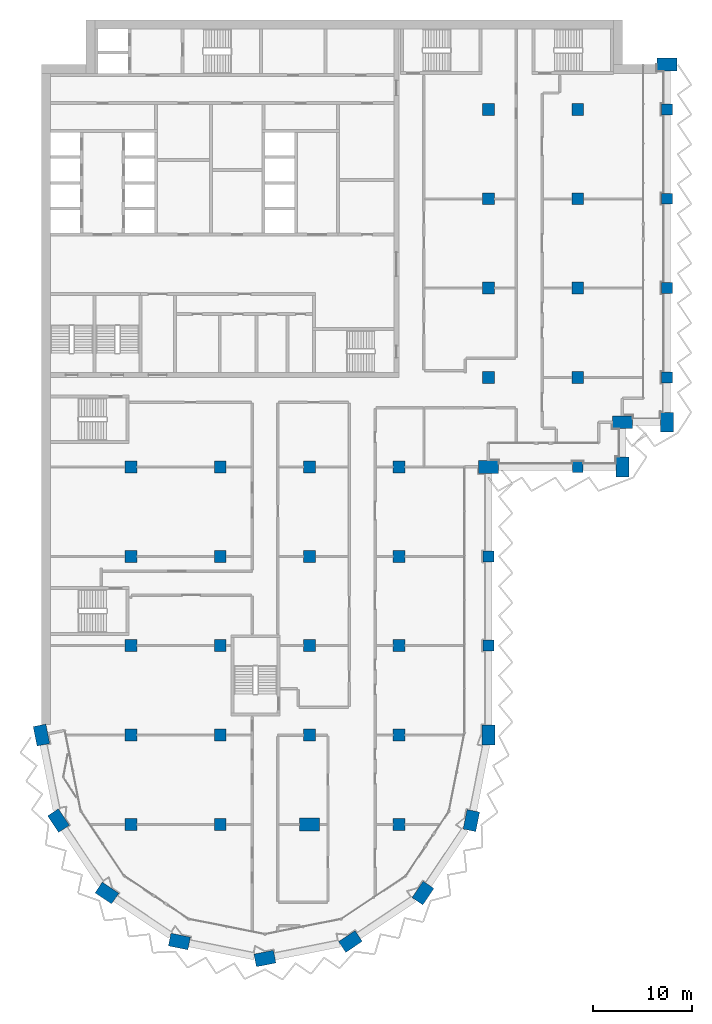
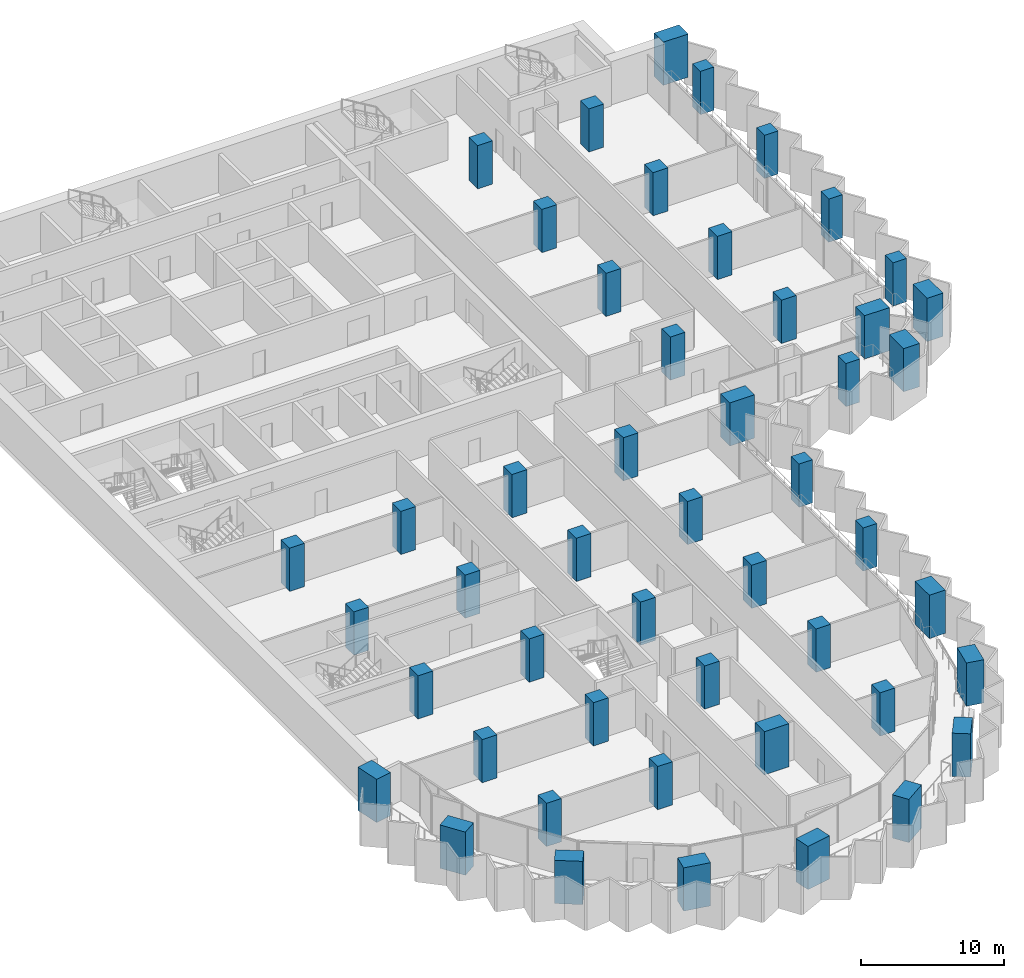
# One storey, part 1 of 23: 49 columns.
"""IFC4 building model written with IfcOpenShell, lengths in metres."""

from ifc_helpers import new_model, si_unit, direction, frame, origin, origin_2d, place, context, subcontext, project, spatial, rectangle, extrude, material, material_profile, profile_set, type_object, element, save


model = new_model("IFC4")

# Units and contexts
model_context = context("Model", 3, precision=1e-05, world=origin(), true_north=direction((0.0, 1.0)))
body_context = subcontext(model_context, "Body", "Model", "MODEL_VIEW")
ifc_project = project(units=[si_unit("LENGTHUNIT", "METRE"), si_unit("AREAUNIT", "SQUARE_METRE"), si_unit("VOLUMEUNIT", "CUBIC_METRE"), si_unit("PLANEANGLEUNIT", "RADIAN"), si_unit("MASSUNIT", "GRAM", prefix="KILO")], contexts=[model_context])

# Site, building, storey
site_placement = place(None, origin())
site = spatial("IfcSite", under=ifc_project, at=site_placement, CompositionType="ELEMENT")
building_placement = place(site_placement, origin())
building = spatial("IfcBuilding", under=site, at=building_placement, Name="Hunhe Ridgeline Campus", CompositionType="ELEMENT")
storey_placement = place(building_placement, frame((0.0, 0.0, 170.800048828125)))
storey = spatial("IfcBuildingStorey", under=building, at=storey_placement, Name="L43", CompositionType="ELEMENT", Elevation=170.800048828125)

# Columns
ifc_material = material(Name="Concrete C70", Category="concrete")
ifc_material_profile_1 = material_profile(ifc_material, rectangle(XDim=2.0, YDim=1.300048828125, at=origin_2d()))
ifc_profile_set_1 = profile_set([ifc_material_profile_1], Name="Concrete C70")
column_type_1 = type_object("IfcColumnType", Name="Megacolumn 2000x1300 Concrete C70", PredefinedType="COLUMN", material=ifc_profile_set_1)
for number, where, z_axis, x_axis, name in (
    (1, (22.5, 4.5, 0.0), (0.0, 0.0, 1.0), (0.980785280403, 0.195090322016, 0.0), "Column C9 R1 L43"),
    (2, (13.8896484375, 6.212646484375, 0.0), (0.0, 0.0, 1.0), (-0.980785280403, 0.195090322016, 0.0), "Column C9 R2 L43"),
    (3, (31.1103515625, 6.212646484375, 0.0), (0.0, 0.0, 1.0), (0.831469612303, 0.55557023302, 0.0), "Column C9 R3 L43"),
    (4, (6.590087890625, 11.090087890625, 0.0), (0.0, 0.0, 1.0), (-0.831469612303, 0.55557023302, 0.0), "Column C9 R4 L43"),
    (5, (38.409912109375, 11.090087890625, 0.0), (0.0, 0.0, 1.0), (0.55557023302, 0.831469612303, 0.0), "Column C9 R5 L43"),
    (6, (1.712646484375, 18.3896484375, 0.0), (0.0, 0.0, 1.0), (-0.55557023302, 0.831469612303, 0.0), "Column C9 R9 L43"),
    (7, (43.287353515625, 18.3896484375, 0.0), (0.0, 0.0, 1.0), (0.195090322016, 0.980785280403, 0.0), "Column C9 R10 L43"),
    (8, (0.0, 27.0, 0.0), (0.0, 0.0, 1.0), (-0.195090322016, 0.980785280403, 0.0), "Column C9 D1 L43"),
    (9, (45.0, 27.0, 0.0), (0.0, 0.0, 1.0), (0.0, 1.0, 0.0), "Column C9 D6 L43"),
    (10, (45.0, 54.0, 0.0), (0.0, 0.0, 1.0), (1.0, 0.0, 0.0), "Column C9 G6 L43"),
    (11, (58.5, 54.0, 0.0), (0.0, 0.0, 1.0), (0.0, 1.0, 0.0), "Column C9 R30 L43"),
    (12, (58.5, 58.5, 0.0), (0.0, 0.0, 1.0), (1.0, 0.0, 0.0), "Column C9 R35 L43"),
    (13, (63.0, 58.5, 0.0), (0.0, 0.0, 1.0), (0.0, 1.0, 0.0), "Column C9 R36 L43"),
    (14, (63.0, 94.5, 0.0), (0.0, 0.0, 1.0), (1.0, 0.0, 0.0), "Column C9 R42 L43"),
    (15, (27.0, 18.0, 0.0), (0.0, 0.0, 1.0), (1.0, 0.0, 0.0), "Column C9 C4 L43"),
):
    element("IfcColumn", number, at=place(storey_placement, frame(where, z_axis=z_axis, x_axis=x_axis)), inside=storey, type_object=column_type_1, Name=name, PredefinedType="COLUMN", context=body_context, shape_type="SweptSolid", body=[
        extrude(rectangle(XDim=2.0, YDim=1.300048828125, at=origin_2d()), origin(), (0.0, 0.0, 1.0), 3.699951171875),
    ])
ifc_material_profile_2 = material_profile(ifc_material, rectangle(XDim=1.10009765625, YDim=1.10009765625, at=origin_2d()))
ifc_profile_set_2 = profile_set([ifc_material_profile_2], Name="Concrete C70")
column_type_2 = type_object("IfcColumnType", Name="RC column 1100x1100 Concrete C70", PredefinedType="COLUMN", material=ifc_profile_set_2)
for number, where, z_axis, x_axis, name in (
    (16, (45.0, 36.0, 0.0), (0.0, 0.0, 1.0), (1.0, 0.0, 0.0), "Column C10 E6 L43"),
    (17, (45.0, 45.0, 0.0), (0.0, 0.0, 1.0), (1.0, 0.0, 0.0), "Column C10 F6 L43"),
    (18, (54.0, 54.0, 0.0), (0.0, 0.0, 1.0), (1.0, 0.0, 0.0), "Column C10 G7 L43"),
    (19, (63.0, 63.0, 0.0), (0.0, 0.0, 1.0), (1.0, 0.0, 0.0), "Column C10 H8 L43"),
    (20, (63.0, 72.0, 0.0), (0.0, 0.0, 1.0), (1.0, 0.0, 0.0), "Column C10 I8 L43"),
    (21, (63.0, 81.0, 0.0), (0.0, 0.0, 1.0), (1.0, 0.0, 0.0), "Column C10 J8 L43"),
    (22, (63.0, 90.0, 0.0), (0.0, 0.0, 1.0), (1.0, 0.0, 0.0), "Column C10 K8 L43"),
):
    element("IfcColumn", number, at=place(storey_placement, frame(where, z_axis=z_axis, x_axis=x_axis)), inside=storey, type_object=column_type_2, Name=name, PredefinedType="COLUMN", context=body_context, shape_type="SweptSolid", body=[
        extrude(rectangle(XDim=1.10009765625, YDim=1.10009765625, at=origin_2d()), origin(), (0.0, 0.0, 1.0), 3.699951171875),
    ])
ifc_material_profile_3 = material_profile(ifc_material, rectangle(XDim=1.199951171875, YDim=1.199951171875, at=origin_2d()))
ifc_profile_set_3 = profile_set([ifc_material_profile_3], Name="Concrete C70")
column_type_3 = type_object("IfcColumnType", Name="RC column 1200x1200 Concrete C70", PredefinedType="COLUMN", material=ifc_profile_set_3)
for number, where, z_axis, x_axis, name in (
    (23, (9.0, 18.0, 0.0), (0.0, 0.0, 1.0), (1.0, 0.0, 0.0), "Column C7 C2 L43"),
    (24, (9.0, 27.0, 0.0), (0.0, 0.0, 1.0), (1.0, 0.0, 0.0), "Column C7 D2 L43"),
    (25, (9.0, 36.0, 0.0), (0.0, 0.0, 1.0), (1.0, 0.0, 0.0), "Column C7 E2 L43"),
    (26, (9.0, 45.0, 0.0), (0.0, 0.0, 1.0), (1.0, 0.0, 0.0), "Column C7 F2 L43"),
    (27, (9.0, 54.0, 0.0), (0.0, 0.0, 1.0), (1.0, 0.0, 0.0), "Column C7 G2 L43"),
    (28, (18.0, 18.0, 0.0), (0.0, 0.0, 1.0), (1.0, 0.0, 0.0), "Column C7 C3 L43"),
    (29, (18.0, 27.0, 0.0), (0.0, 0.0, 1.0), (1.0, 0.0, 0.0), "Column C7 D3 L43"),
    (30, (18.0, 36.0, 0.0), (0.0, 0.0, 1.0), (1.0, 0.0, 0.0), "Column C7 E3 L43"),
    (31, (18.0, 45.0, 0.0), (0.0, 0.0, 1.0), (1.0, 0.0, 0.0), "Column C7 F3 L43"),
    (32, (18.0, 54.0, 0.0), (0.0, 0.0, 1.0), (1.0, 0.0, 0.0), "Column C7 G3 L43"),
    (33, (27.0, 27.0, 0.0), (0.0, 0.0, 1.0), (1.0, 0.0, 0.0), "Column C7 D4 L43"),
    (34, (27.0, 36.0, 0.0), (0.0, 0.0, 1.0), (1.0, 0.0, 0.0), "Column C7 E4 L43"),
    (35, (27.0, 45.0, 0.0), (0.0, 0.0, 1.0), (1.0, 0.0, 0.0), "Column C7 F4 L43"),
    (36, (27.0, 54.0, 0.0), (0.0, 0.0, 1.0), (1.0, 0.0, 0.0), "Column C7 G4 L43"),
    (37, (36.0, 18.0, 0.0), (0.0, 0.0, 1.0), (1.0, 0.0, 0.0), "Column C7 C5 L43"),
    (38, (36.0, 27.0, 0.0), (0.0, 0.0, 1.0), (1.0, 0.0, 0.0), "Column C7 D5 L43"),
    (39, (36.0, 36.0, 0.0), (0.0, 0.0, 1.0), (1.0, 0.0, 0.0), "Column C7 E5 L43"),
    (40, (36.0, 45.0, 0.0), (0.0, 0.0, 1.0), (1.0, 0.0, 0.0), "Column C7 F5 L43"),
    (41, (36.0, 54.0, 0.0), (0.0, 0.0, 1.0), (1.0, 0.0, 0.0), "Column C7 G5 L43"),
    (42, (45.0, 63.0, 0.0), (0.0, 0.0, 1.0), (1.0, 0.0, 0.0), "Column C7 H6 L43"),
    (43, (45.0, 72.0, 0.0), (0.0, 0.0, 1.0), (1.0, 0.0, 0.0), "Column C7 I6 L43"),
    (44, (45.0, 81.0, 0.0), (0.0, 0.0, 1.0), (1.0, 0.0, 0.0), "Column C7 J6 L43"),
    (45, (45.0, 90.0, 0.0), (0.0, 0.0, 1.0), (1.0, 0.0, 0.0), "Column C7 K6 L43"),
    (46, (54.0, 63.0, 0.0), (0.0, 0.0, 1.0), (1.0, 0.0, 0.0), "Column C7 H7 L43"),
    (47, (54.0, 72.0, 0.0), (0.0, 0.0, 1.0), (1.0, 0.0, 0.0), "Column C7 I7 L43"),
    (48, (54.0, 81.0, 0.0), (0.0, 0.0, 1.0), (1.0, 0.0, 0.0), "Column C7 J7 L43"),
    (49, (54.0, 90.0, 0.0), (0.0, 0.0, 1.0), (1.0, 0.0, 0.0), "Column C7 K7 L43"),
):
    element("IfcColumn", number, at=place(storey_placement, frame(where, z_axis=z_axis, x_axis=x_axis)), inside=storey, type_object=column_type_3, Name=name, PredefinedType="COLUMN", context=body_context, shape_type="SweptSolid", body=[
        extrude(rectangle(XDim=1.199951171875, YDim=1.199951171875, at=origin_2d()), origin(), (0.0, 0.0, 1.0), 3.699951171875),
    ])

save(model, "model.ifc")
